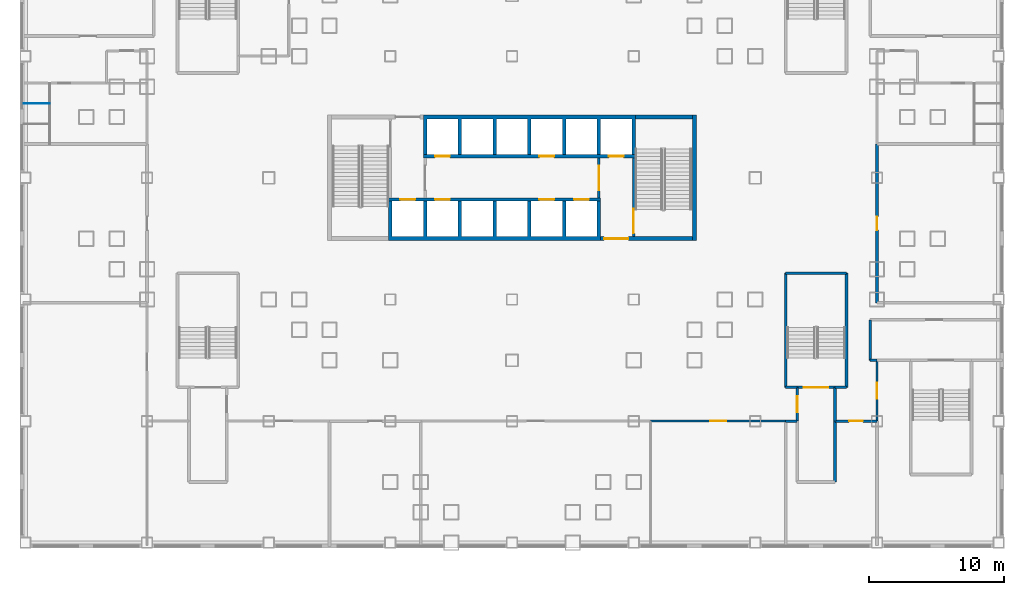
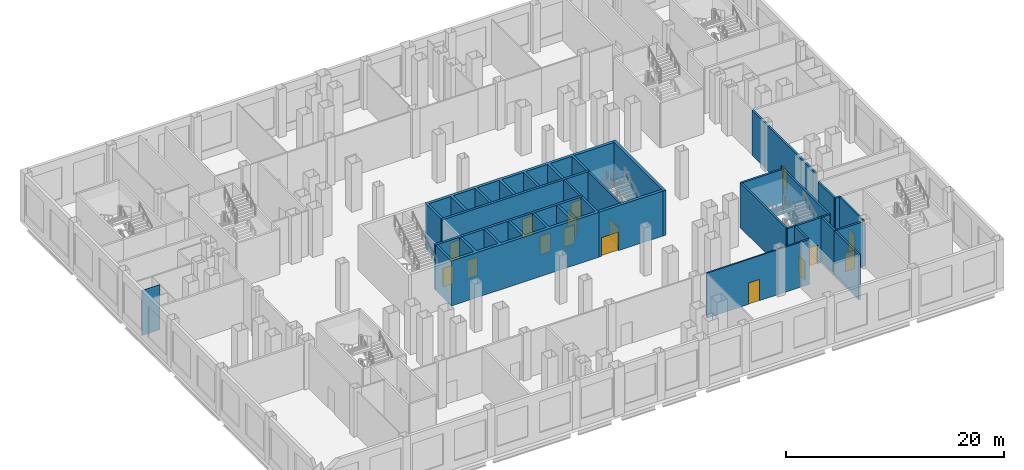
# One storey, part 4 of 26: 26 walls, 16 doors, 16 openings.
"""IFC4 building model written with IfcOpenShell, lengths in metres."""

from ifc_helpers import new_model, si_unit, direction, frame, frame_2d, origin, place, context, subcontext, project, spatial, polyline, rectangle, outline, extrude, material, layer, layer_set, type_object, element, fill, save


model = new_model("IFC4")

# Units and contexts
model_context = context("Model", 3, precision=1e-05, world=origin(), true_north=direction((0.0, 1.0)))
body_context = subcontext(model_context, "Body", "Model", "MODEL_VIEW")
ifc_project = project(units=[si_unit("LENGTHUNIT", "METRE"), si_unit("AREAUNIT", "SQUARE_METRE"), si_unit("VOLUMEUNIT", "CUBIC_METRE"), si_unit("PLANEANGLEUNIT", "RADIAN"), si_unit("MASSUNIT", "GRAM", prefix="KILO")], contexts=[model_context])

# Site, building, storey
site_placement = place(None, origin())
site = spatial("IfcSite", under=ifc_project, at=site_placement, CompositionType="ELEMENT")
building_placement = place(site_placement, origin())
building = spatial("IfcBuilding", under=site, at=building_placement, Name="Caravel Reach Hotel and Residences", CompositionType="ELEMENT")
storey_placement = place(building_placement, frame((0.0, 0.0, 12.0)))
storey = spatial("IfcBuildingStorey", under=building, at=storey_placement, Name="L02", CompositionType="ELEMENT", Elevation=12.0)

# Walls
ifc_material_1 = material(Name="Autoclaved aerated block wall")
ifc_layer_1 = layer(ifc_material_1, 0.199951171875)
ifc_layer_set_1 = layer_set([ifc_layer_1], Name="Compartment wall 200 mm EI 120")
wall_type_1 = type_object("IfcWallType", Name="Compartment wall 200 mm EI 120", PredefinedType="PARTITIONING", material=ifc_layer_set_1)
wall_1_placement = place(storey_placement, frame((58.0, 13.5, 0.0), z_axis=(0.0, 0.0, 1.0), x_axis=(1.0, 0.0, 0.0)))
element("IfcWall", 1, at=wall_1_placement, inside=storey, type_object=wall_type_1, Name="L02 wall w037", PredefinedType="PARTITIONING", context=body_context, shape_type="SweptSolid", body=[
    extrude(rectangle(XDim=0.5, YDim=0.199951171875, at=frame_2d((0.25, 0.0))), origin(), (0.0, 0.0, 1.0), 5.050048828125),
])
wall_2_placement = place(storey_placement, frame((51.75, 9.0, 0.0), z_axis=(0.0, 0.0, 1.0), x_axis=(1.0, 0.0, 0.0)))
element("IfcWall", 2, at=wall_2_placement, inside=storey, type_object=wall_type_1, Name="L02 wall w056", PredefinedType="PARTITIONING", context=body_context, shape_type="SweptSolid", body=[
    extrude(rectangle(XDim=0.85009765625, YDim=0.199951171875, at=frame_2d((0.425048828125, 0.0))), origin(), (0.0, 0.0, 1.0), 5.050048828125),
])

# Wall, opening, door
wall_3_placement = place(storey_placement, frame((55.39990234375, 9.0, 0.0), z_axis=(0.0, 0.0, 1.0), x_axis=(1.0, 0.0, 0.0)))
wall_3 = element("IfcWall", 3, at=wall_3_placement, inside=storey, type_object=wall_type_1, Name="L02 wall w057", PredefinedType="PARTITIONING", context=body_context, shape_type="SweptSolid", body=[
    extrude(rectangle(XDim=3.10009765625, YDim=0.199951171875, at=frame_2d((1.550048828125, 0.0))), origin(), (0.0, 0.0, 1.0), 5.050048828125),
])
opening_1_placement = place(wall_3_placement, frame((1.050048828125, 0.0, 0.0)))
opening_1 = element("IfcOpeningElement", 4, at=opening_1_placement, cuts=wall_3, Name="Opening D02-042", PredefinedType="OPENING", context=body_context, shape_type="SweptSolid", body=[
    extrude(rectangle(XDim=1.0, YDim=2.10009765625, at=frame_2d((0.5, 1.050048828125))), frame((0.0, 0.10986328125, 0.0), z_axis=(0.0, -1.0, 0.0), x_axis=(1.0, 0.0, 0.0)), (0.0, 0.0, 1.0), 0.219970703125),
])
ifc_material_2 = material(Name="Steel fire door leaf", Category="steel")
door_type_1 = type_object("IfcDoorType", Name="Fire door 1000 x 2100 EI 60", OperationType="SINGLE_SWING_LEFT", PredefinedType="DOOR", material=ifc_material_2)
door_1_placement = place(opening_1_placement, origin())
door_1 = element("IfcDoor", 5, at=door_1_placement, inside=storey, type_object=door_type_1, Name="door D02-042", OperationType="SINGLE_SWING_RIGHT", OverallHeight=2.10009765625, OverallWidth=1.0, PredefinedType="DOOR", context=body_context, shape_type="SweptSolid", body=[
    extrude(rectangle(XDim=1.0, YDim=2.10009765625, at=frame_2d((0.5, 1.050048828125))), frame((0.0, 0.02490234375, 0.0), z_axis=(0.0, -1.0, 0.0), x_axis=(1.0, 0.0, 0.0)), (0.0, 0.0, 1.0), 0.050048828125),
])
fill(opening_1, door_1)

wall_4_placement = place(storey_placement, frame((52.60009765625, 9.0, 0.0), z_axis=(0.0, 0.0, 1.0), x_axis=(0.0, 1.0, 0.0)))
wall_4 = element("IfcWall", 6, at=wall_4_placement, inside=storey, type_object=wall_type_1, Name="L02 wall w069", PredefinedType="PARTITIONING", context=body_context, shape_type="SweptSolid", body=[
    extrude(rectangle(XDim=2.5, YDim=0.199951171875, at=frame_2d((1.25, 0.0))), origin(), (0.0, 0.0, 1.0), 5.050048828125),
])
opening_2_placement = place(wall_4_placement, frame((0.64990234375, 0.0, 0.0)))
opening_2 = element("IfcOpeningElement", 7, at=opening_2_placement, cuts=wall_4, Name="Opening D02-020", PredefinedType="OPENING", context=body_context, shape_type="SweptSolid", body=[
    extrude(rectangle(XDim=1.199951171875, YDim=2.10009765625, at=frame_2d((0.60009765625, 1.050048828125))), frame((0.0, 0.10986328125, 0.0), z_axis=(0.0, -1.0, 0.0), x_axis=(1.0, 0.0, 0.0)), (0.0, 0.0, 1.0), 0.219970703125),
])
ifc_material_3 = material(Name="Steel fire door leaf", Category="steel")
door_type_2 = type_object("IfcDoorType", Name="Fire lobby door 1200 x 2100 EI 90", OperationType="SINGLE_SWING_LEFT", PredefinedType="DOOR", material=ifc_material_3)
door_2_placement = place(opening_2_placement, origin())
door_2 = element("IfcDoor", 8, at=door_2_placement, inside=storey, type_object=door_type_2, Name="door D02-020", OperationType="SINGLE_SWING_LEFT", OverallHeight=2.10009765625, OverallWidth=1.199951171875, PredefinedType="DOOR", context=body_context, shape_type="SweptSolid", body=[
    extrude(rectangle(XDim=1.199951171875, YDim=2.10009765625, at=frame_2d((0.60009765625, 1.050048828125))), frame((0.0, 0.02490234375, 0.0), z_axis=(0.0, -1.0, 0.0), x_axis=(1.0, 0.0, 0.0)), (0.0, 0.0, 1.0), 0.050048828125),
])
fill(opening_2, door_2)

# Walls
wall_5_placement = place(storey_placement, frame((55.39990234375, 9.0, 0.0), z_axis=(0.0, 0.0, 1.0), x_axis=(0.0, 1.0, 0.0)))
element("IfcWall", 9, at=wall_5_placement, inside=storey, type_object=wall_type_1, Name="L02 wall w072", PredefinedType="PARTITIONING", context=body_context, shape_type="SweptSolid", body=[
    extrude(rectangle(XDim=2.5, YDim=0.199951171875, at=frame_2d((1.25, 0.0))), origin(), (0.0, 0.0, 1.0), 5.050048828125),
])
wall_6_placement = place(storey_placement, frame((55.39990234375, 4.5, 0.0), z_axis=(0.0, 0.0, 1.0), x_axis=(0.0, 1.0, 0.0)))
element("IfcWall", 10, at=wall_6_placement, inside=storey, type_object=wall_type_1, Name="L02 wall w073", PredefinedType="PARTITIONING", context=body_context, shape_type="SweptSolid", body=[
    extrude(rectangle(XDim=4.5, YDim=0.199951171875, at=frame_2d((2.25, 0.0))), origin(), (0.0, 0.0, 1.0), 5.050048828125),
])
wall_7_placement = place(storey_placement, frame((58.0, 13.5, 0.0), z_axis=(0.0, 0.0, 1.0), x_axis=(0.0, 1.0, 0.0)))
element("IfcWall", 11, at=wall_7_placement, inside=storey, type_object=wall_type_1, Name="L02 wall w075", PredefinedType="PARTITIONING", context=body_context, shape_type="SweptSolid", body=[
    extrude(rectangle(XDim=3.0, YDim=0.199951171875, at=frame_2d((1.5, 0.0))), origin(), (0.0, 0.0, 1.0), 5.050048828125),
])

# Wall, opening, door
wall_8_placement = place(storey_placement, frame((58.5, 17.75, 0.0), z_axis=(0.0, 0.0, 1.0), x_axis=(0.0, 1.0, 0.0)))
wall_8 = element("IfcWall", 12, at=wall_8_placement, inside=storey, type_object=wall_type_1, Name="L02 wall w077", PredefinedType="PARTITIONING", context=body_context, shape_type="SweptSolid", body=[
    extrude(rectangle(XDim=11.75, YDim=0.199951171875, at=frame_2d((5.875, 0.0))), origin(), (0.0, 0.0, 1.0), 5.050048828125),
])
opening_3_placement = place(wall_8_placement, frame((5.375, 0.0, 0.0)))
opening_3 = element("IfcOpeningElement", 13, at=opening_3_placement, cuts=wall_8, Name="Opening D02-034", PredefinedType="OPENING", context=body_context, shape_type="SweptSolid", body=[
    extrude(rectangle(XDim=1.0, YDim=2.10009765625, at=frame_2d((0.5, 1.050048828125))), frame((0.0, 0.10986328125, 0.0), z_axis=(0.0, -1.0, 0.0), x_axis=(1.0, 0.0, 0.0)), (0.0, 0.0, 1.0), 0.219970703125),
])
door_3_placement = place(opening_3_placement, origin())
door_3 = element("IfcDoor", 14, at=door_3_placement, inside=storey, type_object=door_type_1, Name="door D02-034", OperationType="SINGLE_SWING_LEFT", OverallHeight=2.10009765625, OverallWidth=1.0, PredefinedType="DOOR", context=body_context, shape_type="SweptSolid", body=[
    extrude(rectangle(XDim=1.0, YDim=2.10009765625, at=frame_2d((0.5, 1.050048828125))), frame((0.0, 0.02490234375, 0.0), z_axis=(0.0, -1.0, 0.0), x_axis=(1.0, 0.0, 0.0)), (0.0, 0.0, 1.0), 0.050048828125),
])
fill(opening_3, door_3)

ifc_material_4 = material(Name="Concrete C60", Category="concrete")
ifc_layer_2 = layer(ifc_material_4, 0.300048828125)
ifc_layer_set_2 = layer_set([ifc_layer_2], Name="Core wall 300 mm EI 120")
wall_type_2 = type_object("IfcWallType", Name="Core wall 300 mm EI 120", PredefinedType="SHEAR", material=ifc_layer_set_2)
wall_9_placement = place(storey_placement, frame((38.053466796875, 22.5, 0.0), z_axis=(0.0, 0.0, 1.0), x_axis=(1.0, 0.0, 0.0)))
wall_9 = element("IfcWall", 15, at=wall_9_placement, inside=storey, type_object=wall_type_2, Name="L02 core wall S2", PredefinedType="SHEAR", context=body_context, shape_type="SweptSolid", body=[
    extrude(rectangle(XDim=6.796630859375, YDim=0.300048828125, at=frame_2d((3.3984375, 0.0))), origin(), (0.0, 0.0, 1.0), 5.050048828125),
])
opening_4_placement = place(wall_9_placement, frame((0.2607421875, 0.0, 0.0)))
opening_4 = element("IfcOpeningElement", 16, at=opening_4_placement, cuts=wall_9, Name="Opening D02-013", PredefinedType="OPENING", context=body_context, shape_type="SweptSolid", body=[
    extrude(rectangle(XDim=1.800048828125, YDim=2.10009765625, at=frame_2d((0.89990234375, 1.050048828125))), frame((0.0, 0.159912109375, 0.0), z_axis=(0.0, -1.0, 0.0), x_axis=(1.0, 0.0, 0.0)), (0.0, 0.0, 1.0), 0.320068359375),
])
ifc_material_5 = material(Name="Steel fire door leaf", Category="steel")
door_type_3 = type_object("IfcDoorType", Name="Fire lobby door pair 1800 x 2100 EI 90", OperationType="DOUBLE_DOOR_SINGLE_SWING", PredefinedType="DOOR", material=ifc_material_5)
door_4_placement = place(opening_4_placement, origin())
door_4 = element("IfcDoor", 17, at=door_4_placement, inside=storey, type_object=door_type_3, Name="lobby S door pair to corridor", OperationType="DOUBLE_DOOR_SINGLE_SWING", OverallHeight=2.10009765625, OverallWidth=1.800048828125, PredefinedType="DOOR", context=body_context, shape_type="SweptSolid", body=[
    extrude(rectangle(XDim=1.800048828125, YDim=2.10009765625, at=frame_2d((0.89990234375, 1.050048828125))), frame((0.0, 0.02490234375, 0.0), z_axis=(0.0, -1.0, 0.0), x_axis=(1.0, 0.0, 0.0)), (0.0, 0.0, 1.0), 0.050048828125),
])
fill(opening_4, door_4)

# Walls
wall_10_placement = place(storey_placement, frame((40.625, 31.5, 0.0), z_axis=(0.0, 0.0, 1.0), x_axis=(1.0, 0.0, 0.0)))
element("IfcWall", 18, at=wall_10_placement, inside=storey, type_object=wall_type_2, Name="L02 core wall N2", PredefinedType="SHEAR", context=body_context, shape_type="SweptSolid", body=[
    extrude(rectangle(XDim=4.22509765625, YDim=0.300048828125, at=frame_2d((2.112548828125, 0.0))), origin(), (0.0, 0.0, 1.0), 5.050048828125),
])
wall_11_placement = place(storey_placement, frame((45.0, 22.35009765625, 0.0), z_axis=(0.0, 0.0, 1.0), x_axis=(0.0, 1.0, 0.0)))
element("IfcWall", 19, at=wall_11_placement, inside=storey, type_object=wall_type_2, Name="L02 core wall E", PredefinedType="SHEAR", context=body_context, shape_type="SweptSolid", body=[
    extrude(rectangle(XDim=9.2998046875, YDim=0.300048828125, at=frame_2d((4.64990234375, 0.0))), origin(), (0.0, 0.0, 1.0), 5.050048828125),
])

# Wall, opening, door
ifc_material_6 = material(Name="Gypsum board on steel stud, fire-rated", Category="steel")
ifc_layer_3 = layer(ifc_material_6, 0.14990234375)
ifc_layer_set_3 = layer_set([ifc_layer_3], Name="Corridor wall 150 mm EI 60")
wall_type_3 = type_object("IfcWallType", Name="Corridor wall 150 mm EI 60", PredefinedType="PARTITIONING", material=ifc_layer_set_3)
wall_12_placement = place(storey_placement, frame((41.75, 9.0, 0.0), z_axis=(0.0, 0.0, 1.0), x_axis=(1.0, 0.0, 0.0)))
wall_12 = element("IfcWall", 20, at=wall_12_placement, inside=storey, type_object=wall_type_3, Name="L02 wall w015", PredefinedType="PARTITIONING", context=body_context, shape_type="SweptSolid", body=[
    extrude(rectangle(XDim=10.0, YDim=0.14990234375, at=frame_2d((5.0, 0.0))), origin(), (0.0, 0.0, 1.0), 5.050048828125),
])
opening_5_placement = place(wall_12_placement, frame((4.39990234375, 0.0, 0.0)))
opening_5 = element("IfcOpeningElement", 21, at=opening_5_placement, cuts=wall_12, Name="Opening D02-041", PredefinedType="OPENING", context=body_context, shape_type="SweptSolid", body=[
    extrude(rectangle(XDim=1.199951171875, YDim=2.39990234375, at=frame_2d((0.60009765625, 1.199951171875))), frame((0.0, 0.0849609375, 0.0), z_axis=(0.0, -1.0, 0.0), x_axis=(1.0, 0.0, 0.0)), (0.0, 0.0, 1.0), 0.169921875),
])
ifc_material_7 = material(Name="Timber and steel door leaf", Category="steel")
door_type_4 = type_object("IfcDoorType", Name="Glazed door 1200 x 2400", OperationType="SINGLE_SWING_LEFT", PredefinedType="DOOR", material=ifc_material_7)
door_5_placement = place(opening_5_placement, origin())
door_5 = element("IfcDoor", 22, at=door_5_placement, inside=storey, type_object=door_type_4, Name="door D02-041", OperationType="SINGLE_SWING_LEFT", OverallHeight=2.39990234375, OverallWidth=1.199951171875, PredefinedType="DOOR", context=body_context, shape_type="SweptSolid", body=[
    extrude(rectangle(XDim=1.199951171875, YDim=2.39990234375, at=frame_2d((0.60009765625, 1.199951171875))), frame((0.0, 0.02490234375, 0.0), z_axis=(0.0, -1.0, 0.0), x_axis=(1.0, 0.0, 0.0)), (0.0, 0.0, 1.0), 0.050048828125),
])
fill(opening_5, door_5)

wall_13_placement = place(storey_placement, frame((58.5, 9.0, 0.0), z_axis=(0.0, 0.0, 1.0), x_axis=(0.0, 1.0, 0.0)))
wall_13 = element("IfcWall", 23, at=wall_13_placement, inside=storey, type_object=wall_type_3, Name="L02 wall w022", PredefinedType="PARTITIONING", context=body_context, shape_type="SweptSolid", body=[
    extrude(rectangle(XDim=4.5, YDim=0.14990234375, at=frame_2d((2.25, 0.0))), origin(), (0.0, 0.0, 1.0), 5.050048828125),
])
opening_6_placement = place(wall_13_placement, frame((1.64990234375, 0.0, 0.0)))
opening_6 = element("IfcOpeningElement", 24, at=opening_6_placement, cuts=wall_13, Name="Opening D02-033", PredefinedType="OPENING", context=body_context, shape_type="SweptSolid", body=[
    extrude(rectangle(XDim=1.199951171875, YDim=2.39990234375, at=frame_2d((0.60009765625, 1.199951171875))), frame((0.0, 0.0849609375, 0.0), z_axis=(0.0, -1.0, 0.0), x_axis=(1.0, 0.0, 0.0)), (0.0, 0.0, 1.0), 0.169921875),
])
door_6_placement = place(opening_6_placement, origin())
door_6 = element("IfcDoor", 25, at=door_6_placement, inside=storey, type_object=door_type_4, Name="door D02-033", OperationType="SINGLE_SWING_RIGHT", OverallHeight=2.39990234375, OverallWidth=1.199951171875, PredefinedType="DOOR", context=body_context, shape_type="SweptSolid", body=[
    extrude(rectangle(XDim=1.199951171875, YDim=2.39990234375, at=frame_2d((0.60009765625, 1.199951171875))), frame((0.0, 0.02490234375, 0.0), z_axis=(0.0, -1.0, 0.0), x_axis=(1.0, 0.0, 0.0)), (0.0, 0.0, 1.0), 0.050048828125),
])
fill(opening_6, door_6)

ifc_material_8 = material(Name="Autoclaved aerated block wall")
ifc_layer_4 = layer(ifc_material_8, 0.199951171875)
ifc_layer_set_4 = layer_set([ifc_layer_4], Name="Fire lobby wall 200 mm EI 120")
wall_type_4 = type_object("IfcWallType", Name="Fire lobby wall 200 mm EI 120", PredefinedType="PARTITIONING", material=ifc_layer_set_4)
wall_14_placement = place(storey_placement, frame((37.928466796875, 25.52490234375, 0.0), z_axis=(0.0, 0.0, 1.0), x_axis=(0.0, 1.0, 0.0)))
wall_14 = element("IfcWall", 26, at=wall_14_placement, inside=storey, type_object=wall_type_4, Name="L02 lobby E wall", PredefinedType="PARTITIONING", context=body_context, shape_type="SweptSolid", body=[
    extrude(rectangle(XDim=2.9501953125, YDim=0.199951171875, at=frame_2d((1.47509765625, 0.0))), origin(), (0.0, 0.0, 1.0), 5.050048828125),
])
opening_7_placement = place(wall_14_placement, frame((0.574951171875, 0.0, 0.0)))
opening_7 = element("IfcOpeningElement", 27, at=opening_7_placement, cuts=wall_14, Name="Opening D02-011", PredefinedType="OPENING", context=body_context, shape_type="SweptSolid", body=[
    extrude(rectangle(XDim=1.800048828125, YDim=2.10009765625, at=frame_2d((0.89990234375, 1.050048828125))), frame((0.0, 0.10986328125, 0.0), z_axis=(0.0, -1.0, 0.0), x_axis=(1.0, 0.0, 0.0)), (0.0, 0.0, 1.0), 0.219970703125),
])
door_7_placement = place(opening_7_placement, origin())
door_7 = element("IfcDoor", 28, at=door_7_placement, inside=storey, type_object=door_type_3, Name="lobby E door pair", OperationType="DOUBLE_DOOR_SINGLE_SWING", OverallHeight=2.10009765625, OverallWidth=1.800048828125, PredefinedType="DOOR", context=body_context, shape_type="SweptSolid", body=[
    extrude(rectangle(XDim=1.800048828125, YDim=2.10009765625, at=frame_2d((0.89990234375, 1.050048828125))), frame((0.0, 0.02490234375, 0.0), z_axis=(0.0, -1.0, 0.0), x_axis=(1.0, 0.0, 0.0)), (0.0, 0.0, 1.0), 0.050048828125),
])
fill(opening_7, door_7)

# Walls
ifc_material_9 = material(Name="Concrete C60", Category="concrete")
ifc_layer_5 = layer(ifc_material_9, 0.25)
ifc_layer_set_5 = layer_set([ifc_layer_5], Name="Shaft wall 250 mm EI 120")
wall_type_5 = type_object("IfcWallType", Name="Shaft wall 250 mm EI 120", PredefinedType="SHEAR", material=ifc_layer_set_5)
wall_15_placement = place(storey_placement, origin())
element("IfcWall", 29, at=wall_15_placement, inside=storey, type_object=wall_type_5, Name="L02 lift shaft wall S1", PredefinedType="SHEAR", context=body_context, shape_type="SweptSolid", body=[
    extrude(outline(polyline([(22.375, 22.35009765625), (38.053466796875, 22.35009765625), (38.053466796875, 25.27490234375), (37.803466796875, 25.27490234375), (37.803466796875, 22.64990234375), (35.482177734375, 22.64990234375), (35.482177734375, 25.27490234375), (35.232177734375, 25.27490234375), (35.232177734375, 22.64990234375), (32.91064453125, 22.64990234375), (32.91064453125, 25.27490234375), (32.66064453125, 25.27490234375), (32.66064453125, 22.64990234375), (30.33935546875, 22.64990234375), (30.33935546875, 25.27490234375), (30.08935546875, 25.27490234375), (30.08935546875, 22.64990234375), (27.767822265625, 22.64990234375), (27.767822265625, 25.27490234375), (27.517822265625, 25.27490234375), (27.517822265625, 22.64990234375), (25.196533203125, 22.64990234375), (25.196533203125, 25.27490234375), (24.946533203125, 25.27490234375), (24.946533203125, 22.64990234375), (22.625, 22.64990234375), (22.625, 25.27490234375), (22.375, 25.27490234375), (22.375, 22.35009765625)])), origin(), (0.0, 0.0, 1.0), 5.050048828125),
])
wall_16_placement = place(storey_placement, origin())
element("IfcWall", 30, at=wall_16_placement, inside=storey, type_object=wall_type_5, Name="L02 lift shaft wall N1", PredefinedType="SHEAR", context=body_context, shape_type="SweptSolid", body=[
    extrude(outline(polyline([(24.946533203125, 28.72509765625), (25.196533203125, 28.72509765625), (25.196533203125, 31.35009765625), (27.517822265625, 31.35009765625), (27.517822265625, 28.72509765625), (27.767822265625, 28.72509765625), (27.767822265625, 31.35009765625), (30.08935546875, 31.35009765625), (30.08935546875, 28.72509765625), (30.33935546875, 28.72509765625), (30.33935546875, 31.35009765625), (32.66064453125, 31.35009765625), (32.66064453125, 28.72509765625), (32.91064453125, 28.72509765625), (32.91064453125, 31.35009765625), (35.232177734375, 31.35009765625), (35.232177734375, 28.72509765625), (35.482177734375, 28.72509765625), (35.482177734375, 31.35009765625), (37.803466796875, 31.35009765625), (37.803466796875, 28.72509765625), (38.053466796875, 28.72509765625), (38.053466796875, 31.35009765625), (40.375, 31.35009765625), (40.375, 28.72509765625), (40.625, 28.72509765625), (40.625, 31.64990234375), (24.946533203125, 31.64990234375), (24.946533203125, 28.72509765625)])), origin(), (0.0, 0.0, 1.0), 5.050048828125),
])

# Wall, openings, doors
wall_17_placement = place(storey_placement, frame((22.375, 25.39990234375, 0.0), z_axis=(0.0, 0.0, 1.0), x_axis=(1.0, 0.0, 0.0)))
wall_17 = element("IfcWall", 31, at=wall_17_placement, inside=storey, type_object=wall_type_5, Name="L02 lobby wall S1", PredefinedType="SHEAR", context=body_context, shape_type="SweptSolid", body=[
    extrude(rectangle(XDim=15.678466796875, YDim=0.25, at=frame_2d((7.83935546875, 0.0))), origin(), (0.0, 0.0, 1.0), 5.050048828125),
])
opening_8_placement = place(wall_17_placement, frame((3.43212890625, 0.0, 0.0)))
opening_8 = element("IfcOpeningElement", 32, at=opening_8_placement, cuts=wall_17, Name="Opening D02-001", PredefinedType="OPENING", context=body_context, shape_type="SweptSolid", body=[
    extrude(rectangle(XDim=1.10009765625, YDim=2.10009765625, at=frame_2d((0.550048828125, 1.050048828125))), frame((0.0, 0.135009765625, 0.0), z_axis=(0.0, -1.0, 0.0), x_axis=(1.0, 0.0, 0.0)), (0.0, 0.0, 1.0), 0.27001953125),
])
opening_9_placement = place(wall_17_placement, frame((11.146484375, 0.0, 0.0)))
opening_9 = element("IfcOpeningElement", 33, at=opening_9_placement, cuts=wall_17, Name="Opening D02-002", PredefinedType="OPENING", context=body_context, shape_type="SweptSolid", body=[
    extrude(rectangle(XDim=1.10009765625, YDim=2.10009765625, at=frame_2d((0.550048828125, 1.050048828125))), frame((0.0, 0.135009765625, 0.0), z_axis=(0.0, -1.0, 0.0), x_axis=(1.0, 0.0, 0.0)), (0.0, 0.0, 1.0), 0.27001953125),
])
opening_10_placement = place(wall_17_placement, frame((13.718017578125, 0.0, 0.0)))
opening_10 = element("IfcOpeningElement", 34, at=opening_10_placement, cuts=wall_17, Name="Opening D02-003", PredefinedType="OPENING", context=body_context, shape_type="SweptSolid", body=[
    extrude(rectangle(XDim=1.10009765625, YDim=2.10009765625, at=frame_2d((0.550048828125, 1.050048828125))), frame((0.0, 0.135009765625, 0.0), z_axis=(0.0, -1.0, 0.0), x_axis=(1.0, 0.0, 0.0)), (0.0, 0.0, 1.0), 0.27001953125),
])
opening_11_placement = place(wall_17_placement, frame((0.860595703125, 0.0, 0.0)))
opening_11 = element("IfcOpeningElement", 35, at=opening_11_placement, cuts=wall_17, Name="Opening D02-006", PredefinedType="OPENING", context=body_context, shape_type="SweptSolid", body=[
    extrude(rectangle(XDim=1.10009765625, YDim=2.10009765625, at=frame_2d((0.550048828125, 1.050048828125))), frame((0.0, 0.135009765625, 0.0), z_axis=(0.0, -1.0, 0.0), x_axis=(1.0, 0.0, 0.0)), (0.0, 0.0, 1.0), 0.27001953125),
])
ifc_material_10 = material(Name="Stainless steel landing door", Category="steel")
door_type_5 = type_object("IfcDoorType", Name="Landing door LD 1100 x 2100 sliding", OperationType="DOUBLE_DOOR_SLIDING", PredefinedType="DOOR", material=ifc_material_10)
door_8_placement = place(opening_8_placement, origin())
door_8 = element("IfcDoor", 36, at=door_8_placement, inside=storey, type_object=door_type_5, Name="LP1 landing door", OperationType="DOUBLE_DOOR_SLIDING", OverallHeight=2.10009765625, OverallWidth=1.10009765625, PredefinedType="DOOR", context=body_context, shape_type="SweptSolid", body=[
    extrude(rectangle(XDim=1.10009765625, YDim=2.10009765625, at=frame_2d((0.550048828125, 1.050048828125))), frame((0.0, 0.02490234375, 0.0), z_axis=(0.0, -1.0, 0.0), x_axis=(1.0, 0.0, 0.0)), (0.0, 0.0, 1.0), 0.050048828125),
])
fill(opening_8, door_8)
door_9_placement = place(opening_9_placement, origin())
door_9 = element("IfcDoor", 37, at=door_9_placement, inside=storey, type_object=door_type_5, Name="LP2 landing door", OperationType="DOUBLE_DOOR_SLIDING", OverallHeight=2.10009765625, OverallWidth=1.10009765625, PredefinedType="DOOR", context=body_context, shape_type="SweptSolid", body=[
    extrude(rectangle(XDim=1.10009765625, YDim=2.10009765625, at=frame_2d((0.550048828125, 1.050048828125))), frame((0.0, 0.02490234375, 0.0), z_axis=(0.0, -1.0, 0.0), x_axis=(1.0, 0.0, 0.0)), (0.0, 0.0, 1.0), 0.050048828125),
])
fill(opening_9, door_9)
door_10_placement = place(opening_10_placement, origin())
door_10 = element("IfcDoor", 38, at=door_10_placement, inside=storey, type_object=door_type_5, Name="LP3 landing door", OperationType="DOUBLE_DOOR_SLIDING", OverallHeight=2.10009765625, OverallWidth=1.10009765625, PredefinedType="DOOR", context=body_context, shape_type="SweptSolid", body=[
    extrude(rectangle(XDim=1.10009765625, YDim=2.10009765625, at=frame_2d((0.550048828125, 1.050048828125))), frame((0.0, 0.02490234375, 0.0), z_axis=(0.0, -1.0, 0.0), x_axis=(1.0, 0.0, 0.0)), (0.0, 0.0, 1.0), 0.050048828125),
])
fill(opening_10, door_10)
door_11_placement = place(opening_11_placement, origin())
door_11 = element("IfcDoor", 39, at=door_11_placement, inside=storey, type_object=door_type_5, Name="FL1 landing door", OperationType="DOUBLE_DOOR_SLIDING", OverallHeight=2.10009765625, OverallWidth=1.10009765625, PredefinedType="DOOR", context=body_context, shape_type="SweptSolid", body=[
    extrude(rectangle(XDim=1.10009765625, YDim=2.10009765625, at=frame_2d((0.550048828125, 1.050048828125))), frame((0.0, 0.02490234375, 0.0), z_axis=(0.0, -1.0, 0.0), x_axis=(1.0, 0.0, 0.0)), (0.0, 0.0, 1.0), 0.050048828125),
])
fill(opening_11, door_11)

wall_18_placement = place(storey_placement, frame((24.946533203125, 28.60009765625, 0.0), z_axis=(0.0, 0.0, 1.0), x_axis=(1.0, 0.0, 0.0)))
wall_18 = element("IfcWall", 40, at=wall_18_placement, inside=storey, type_object=wall_type_5, Name="L02 lobby wall N1", PredefinedType="SHEAR", context=body_context, shape_type="SweptSolid", body=[
    extrude(rectangle(XDim=15.678466796875, YDim=0.25, at=frame_2d((7.83935546875, 0.0))), origin(), (0.0, 0.0, 1.0), 5.050048828125),
])
opening_12_placement = place(wall_18_placement, frame((0.860595703125, 0.0, 0.0)))
opening_12 = element("IfcOpeningElement", 41, at=opening_12_placement, cuts=wall_18, Name="Opening D02-004", PredefinedType="OPENING", context=body_context, shape_type="SweptSolid", body=[
    extrude(rectangle(XDim=1.10009765625, YDim=2.10009765625, at=frame_2d((0.550048828125, 1.050048828125))), frame((0.0, 0.135009765625, 0.0), z_axis=(0.0, -1.0, 0.0), x_axis=(1.0, 0.0, 0.0)), (0.0, 0.0, 1.0), 0.27001953125),
])
opening_13_placement = place(wall_18_placement, frame((8.574951171875, 0.0, 0.0)))
opening_13 = element("IfcOpeningElement", 42, at=opening_13_placement, cuts=wall_18, Name="Opening D02-005", PredefinedType="OPENING", context=body_context, shape_type="SweptSolid", body=[
    extrude(rectangle(XDim=1.10009765625, YDim=2.10009765625, at=frame_2d((0.550048828125, 1.050048828125))), frame((0.0, 0.135009765625, 0.0), z_axis=(0.0, -1.0, 0.0), x_axis=(1.0, 0.0, 0.0)), (0.0, 0.0, 1.0), 0.27001953125),
])
opening_14_placement = place(wall_18_placement, frame((13.718017578125, 0.0, 0.0)))
opening_14 = element("IfcOpeningElement", 43, at=opening_14_placement, cuts=wall_18, Name="Opening D02-007", PredefinedType="OPENING", context=body_context, shape_type="SweptSolid", body=[
    extrude(rectangle(XDim=1.10009765625, YDim=2.10009765625, at=frame_2d((0.550048828125, 1.050048828125))), frame((0.0, 0.135009765625, 0.0), z_axis=(0.0, -1.0, 0.0), x_axis=(1.0, 0.0, 0.0)), (0.0, 0.0, 1.0), 0.27001953125),
])
door_12_placement = place(opening_12_placement, origin())
door_12 = element("IfcDoor", 44, at=door_12_placement, inside=storey, type_object=door_type_5, Name="LP4 landing door", OperationType="DOUBLE_DOOR_SLIDING", OverallHeight=2.10009765625, OverallWidth=1.10009765625, PredefinedType="DOOR", context=body_context, shape_type="SweptSolid", body=[
    extrude(rectangle(XDim=1.10009765625, YDim=2.10009765625, at=frame_2d((0.550048828125, 1.050048828125))), frame((0.0, 0.02490234375, 0.0), z_axis=(0.0, -1.0, 0.0), x_axis=(1.0, 0.0, 0.0)), (0.0, 0.0, 1.0), 0.050048828125),
])
fill(opening_12, door_12)
door_13_placement = place(opening_13_placement, origin())
door_13 = element("IfcDoor", 45, at=door_13_placement, inside=storey, type_object=door_type_5, Name="LP5 landing door", OperationType="DOUBLE_DOOR_SLIDING", OverallHeight=2.10009765625, OverallWidth=1.10009765625, PredefinedType="DOOR", context=body_context, shape_type="SweptSolid", body=[
    extrude(rectangle(XDim=1.10009765625, YDim=2.10009765625, at=frame_2d((0.550048828125, 1.050048828125))), frame((0.0, 0.02490234375, 0.0), z_axis=(0.0, -1.0, 0.0), x_axis=(1.0, 0.0, 0.0)), (0.0, 0.0, 1.0), 0.050048828125),
])
fill(opening_13, door_13)
door_14_placement = place(opening_14_placement, origin())
door_14 = element("IfcDoor", 46, at=door_14_placement, inside=storey, type_object=door_type_5, Name="FL2 landing door", OperationType="DOUBLE_DOOR_SLIDING", OverallHeight=2.10009765625, OverallWidth=1.10009765625, PredefinedType="DOOR", context=body_context, shape_type="SweptSolid", body=[
    extrude(rectangle(XDim=1.10009765625, YDim=2.10009765625, at=frame_2d((0.550048828125, 1.050048828125))), frame((0.0, 0.02490234375, 0.0), z_axis=(0.0, -1.0, 0.0), x_axis=(1.0, 0.0, 0.0)), (0.0, 0.0, 1.0), 0.050048828125),
])
fill(opening_14, door_14)

# Wall, opening, door
ifc_material_11 = material(Name="Concrete C60", Category="concrete")
ifc_layer_6 = layer(ifc_material_11, 0.199951171875)
ifc_layer_set_6 = layer_set([ifc_layer_6], Name="Stair enclosure wall 200 mm EI 120")
wall_type_6 = type_object("IfcWallType", Name="Stair enclosure wall 200 mm EI 120", PredefinedType="SHEAR", material=ifc_layer_set_6)
wall_19_placement = place(storey_placement, frame((40.5, 22.64990234375, 0.0), z_axis=(0.0, 0.0, 1.0), x_axis=(0.0, 1.0, 0.0)))
wall_19 = element("IfcWall", 47, at=wall_19_placement, inside=storey, type_object=wall_type_6, Name="L02 stair B wall", PredefinedType="SHEAR", context=body_context, shape_type="SweptSolid", body=[
    extrude(rectangle(XDim=5.8251953125, YDim=0.199951171875, at=frame_2d((2.91259765625, 0.0))), origin(), (0.0, 0.0, 1.0), 5.050048828125),
])
opening_15_placement = place(wall_19_placement, frame((0.25, 0.0, 0.0)))
opening_15 = element("IfcOpeningElement", 48, at=opening_15_placement, cuts=wall_19, Name="Opening D02-009", PredefinedType="OPENING", context=body_context, shape_type="SweptSolid", body=[
    extrude(rectangle(XDim=1.800048828125, YDim=2.10009765625, at=frame_2d((0.89990234375, 1.050048828125))), frame((0.0, 0.10986328125, 0.0), z_axis=(0.0, -1.0, 0.0), x_axis=(1.0, 0.0, 0.0)), (0.0, 0.0, 1.0), 0.219970703125),
])
ifc_material_12 = material(Name="Steel fire door leaf", Category="steel")
door_type_6 = type_object("IfcDoorType", Name="Stair door pair 1800 x 2100 EI 90", OperationType="DOUBLE_DOOR_SINGLE_SWING", PredefinedType="DOOR", material=ifc_material_12)
door_15_placement = place(opening_15_placement, origin())
door_15 = element("IfcDoor", 49, at=door_15_placement, inside=storey, type_object=door_type_6, Name="stair B door pair", OperationType="DOUBLE_DOOR_SINGLE_SWING", OverallHeight=2.10009765625, OverallWidth=1.800048828125, PredefinedType="DOOR", context=body_context, shape_type="SweptSolid", body=[
    extrude(rectangle(XDim=1.800048828125, YDim=2.10009765625, at=frame_2d((0.89990234375, 1.050048828125))), frame((0.0, 0.02490234375, 0.0), z_axis=(0.0, -1.0, 0.0), x_axis=(1.0, 0.0, 0.0)), (0.0, 0.0, 1.0), 0.050048828125),
])
fill(opening_15, door_15)

# Walls
for number, where, z_axis, x_axis, name in (
    (50, (51.75, 11.5, 0.0), (0.0, 0.0, 1.0), (1.0, 0.0, 0.0), "L02 wall w085"),
    (51, (55.39990234375, 11.5, 0.0), (0.0, 0.0, 1.0), (1.0, 0.0, 0.0), "L02 wall w086"),
):
    element("IfcWall", number, at=place(storey_placement, frame(where, z_axis=z_axis, x_axis=x_axis)), inside=storey, type_object=wall_type_6, Name=name, PredefinedType="SHEAR", context=body_context, shape_type="SweptSolid", body=[
        extrude(rectangle(XDim=0.85009765625, YDim=0.199951171875, at=frame_2d((0.425048828125, 0.0))), origin(), (0.0, 0.0, 1.0), 5.050048828125),
    ])

# Wall, opening, door
wall_20_placement = place(storey_placement, frame((52.60009765625, 11.5, 0.0), z_axis=(0.0, 0.0, 1.0), x_axis=(1.0, 0.0, 0.0)))
wall_20 = element("IfcWall", 52, at=wall_20_placement, inside=storey, type_object=wall_type_6, Name="L02 wall w087", PredefinedType="SHEAR", context=body_context, shape_type="SweptSolid", body=[
    extrude(rectangle(XDim=2.7998046875, YDim=0.199951171875, at=frame_2d((1.39990234375, 0.0))), origin(), (0.0, 0.0, 1.0), 5.050048828125),
])
opening_16_placement = place(wall_20_placement, frame((0.5, 0.0, 0.0)))
opening_16 = element("IfcOpeningElement", 53, at=opening_16_placement, cuts=wall_20, Name="Opening D02-021", PredefinedType="OPENING", context=body_context, shape_type="SweptSolid", body=[
    extrude(rectangle(XDim=1.800048828125, YDim=2.10009765625, at=frame_2d((0.89990234375, 1.050048828125))), frame((0.0, 0.10986328125, 0.0), z_axis=(0.0, -1.0, 0.0), x_axis=(1.0, 0.0, 0.0)), (0.0, 0.0, 1.0), 0.219970703125),
])
door_16_placement = place(opening_16_placement, origin())
door_16 = element("IfcDoor", 54, at=door_16_placement, inside=storey, type_object=door_type_6, Name="door D02-021", OperationType="DOUBLE_DOOR_SINGLE_SWING", OverallHeight=2.10009765625, OverallWidth=1.800048828125, PredefinedType="DOOR", context=body_context, shape_type="SweptSolid", body=[
    extrude(rectangle(XDim=1.800048828125, YDim=2.10009765625, at=frame_2d((0.89990234375, 1.050048828125))), frame((0.0, 0.02490234375, 0.0), z_axis=(0.0, -1.0, 0.0), x_axis=(1.0, 0.0, 0.0)), (0.0, 0.0, 1.0), 0.050048828125),
])
fill(opening_16, door_16)

# Walls
wall_21_placement = place(storey_placement, frame((51.75, 19.949951171875, 0.0), z_axis=(0.0, 0.0, 1.0), x_axis=(1.0, 0.0, 0.0)))
element("IfcWall", 55, at=wall_21_placement, inside=storey, type_object=wall_type_6, Name="L02 wall w090", PredefinedType="SHEAR", context=body_context, shape_type="SweptSolid", body=[
    extrude(rectangle(XDim=4.5, YDim=0.199951171875, at=frame_2d((2.25, 0.0))), origin(), (0.0, 0.0, 1.0), 5.050048828125),
])
for number, where, z_axis, x_axis, name in (
    (56, (51.75, 11.5, 0.0), (0.0, 0.0, 1.0), (0.0, 1.0, 0.0), "L02 wall w110"),
    (57, (56.25, 11.5, 0.0), (0.0, 0.0, 1.0), (0.0, 1.0, 0.0), "L02 wall w112"),
):
    element("IfcWall", number, at=place(storey_placement, frame(where, z_axis=z_axis, x_axis=x_axis)), inside=storey, type_object=wall_type_6, Name=name, PredefinedType="SHEAR", context=body_context, shape_type="SweptSolid", body=[
        extrude(rectangle(XDim=8.449951171875, YDim=0.199951171875, at=frame_2d((4.22509765625, 0.0))), origin(), (0.0, 0.0, 1.0), 5.050048828125),
    ])
ifc_material_13 = material(Name="Laminate cubicle panel")
ifc_layer_7 = layer(ifc_material_13, 0.0400390625)
ifc_layer_set_7 = layer_set([ifc_layer_7], Name="WC cubicle partition 40 mm")
wall_type_7 = type_object("IfcWallType", Name="WC cubicle partition 40 mm", PredefinedType="PARTITIONING", material=ifc_layer_set_7)
wall_22_placement = place(storey_placement, frame((-4.6201171875, 32.5, 0.0), z_axis=(0.0, 0.0, 1.0), x_axis=(1.0, 0.0, 0.0)))
element("IfcWall", 58, at=wall_22_placement, inside=storey, type_object=wall_type_7, Name="L02 wall cbr03.d2", PredefinedType="PARTITIONING", context=body_context, shape_type="SweptSolid", body=[
    extrude(rectangle(XDim=1.920166015625, YDim=0.0400390625, at=frame_2d((0.9599609375, 0.0))), origin(), (0.0, 0.0, 1.0), 5.050048828125),
])

save(model, "model.ifc")
